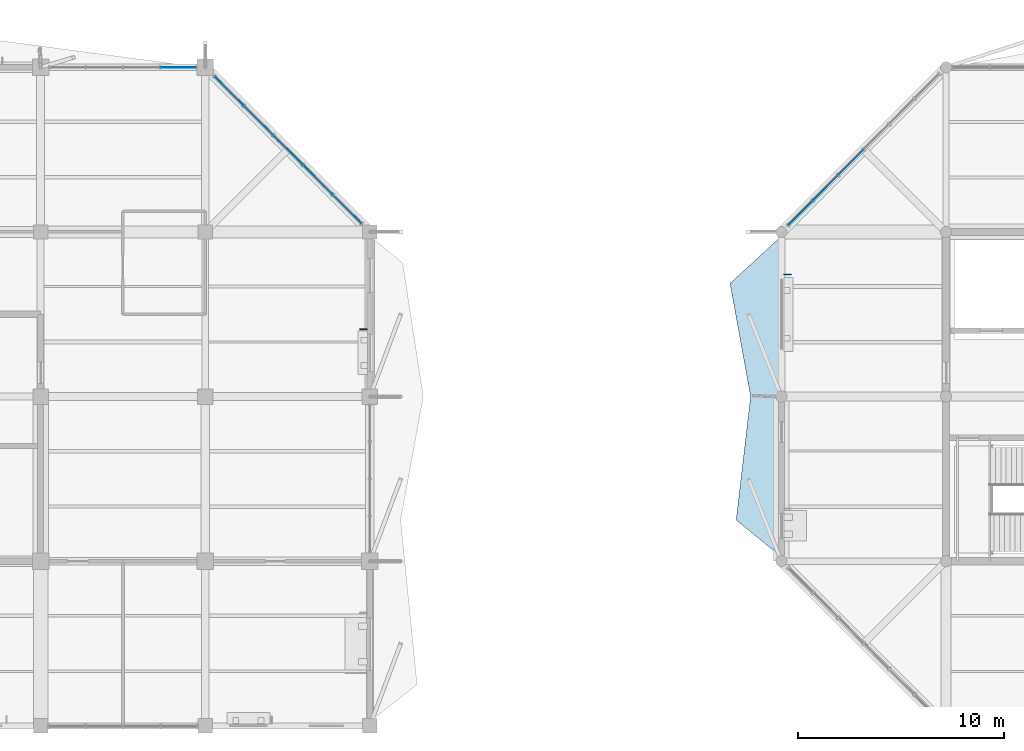
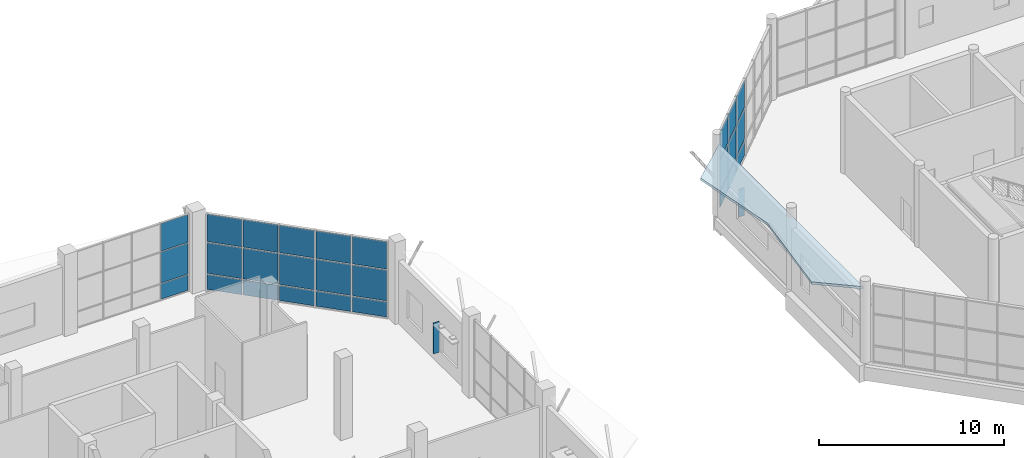
# One storey, part 89 of 122: 29 plates, 1 slab, 3 elements without a shape of their own.
"""IFC4 building model written with IfcOpenShell, lengths in metres."""

from ifc_helpers import new_model, si_unit, direction, frame, origin, origin_2d, place, context, subcontext, project, spatial, polyline, rectangle, outline, extrude, material, layer, layer_set, type_object, element, aggregate, save


model = new_model("IFC4")

# Units and contexts
model_context = context("Model", 3, precision=1e-05, world=origin(), true_north=direction((0.0, 1.0)))
body_context = subcontext(model_context, "Body", "Model", "MODEL_VIEW")
ifc_project = project(units=[si_unit("LENGTHUNIT", "METRE"), si_unit("AREAUNIT", "SQUARE_METRE"), si_unit("VOLUMEUNIT", "CUBIC_METRE"), si_unit("PLANEANGLEUNIT", "RADIAN"), si_unit("MASSUNIT", "GRAM", prefix="KILO")], contexts=[model_context])

# Site, building, storey
site_placement = place(None, origin())
site = spatial("IfcSite", under=ifc_project, at=site_placement, CompositionType="ELEMENT")
building_placement = place(site_placement, origin())
building = spatial("IfcBuilding", under=site, at=building_placement, Name="Tenunan Teduh Sports Hall", CompositionType="ELEMENT")
storey_placement = place(building_placement, frame((0.0, 0.0, 5.39990234375)))
storey = spatial("IfcBuildingStorey", under=building, at=storey_placement, Name="L01", CompositionType="ELEMENT", Elevation=5.39990234375)

# Curtain wall, plates
ifc_material_1 = material(Name="Anodised aluminium", Category="aluminium")
curtain_wall_type = type_object("IfcCurtainWallType", Name="CW-UNIT-1", PredefinedType="NOTDEFINED", material=ifc_material_1)
curtain_wall_1_placement = place(storey_placement, origin())
curtain_wall_1 = element("IfcCurtainWall", 1, at=curtain_wall_1_placement, inside=storey, type_object=curtain_wall_type, Name="CW-CWM-200-L01-204", PredefinedType="NOTDEFINED")
ifc_material_2 = material(Name="Low-E laminated double glazing", Category="glass")
ifc_layer_1 = layer(ifc_material_2, 0.028076171875)
ifc_layer_set_1 = layer_set([ifc_layer_1], Name="Low-E laminated double glazing")
plate_type_1 = type_object("IfcPlateType", Name="CWP-GLZ-28", PredefinedType="CURTAIN_PANEL", material=ifc_layer_set_1)
plate_1_placement = place(storey_placement, frame((76.89892578125, 111.10107421875, 1.13525390625), z_axis=(0.0, 0.0, 1.0), x_axis=(-0.707106781187, 0.707106781187, 0.0)))
plate_1 = element("IfcPlate", 2, at=plate_1_placement, type_object=plate_type_1, Name="CW-01 panel 1.2", PredefinedType="CURTAIN_PANEL", context=body_context, shape_type="SweptSolid", body=[
    extrude(rectangle(XDim=1.93505859375, YDim=0.028076171875, at=origin_2d()), origin(), (0.0, 0.0, 1.0), 2.030029296875),
])
plate_2_placement = place(storey_placement, frame((76.89892578125, 111.10107421875, 3.235107421875), z_axis=(0.0, 0.0, 1.0), x_axis=(-0.707106781187, 0.707106781187, 0.0)))
plate_2 = element("IfcPlate", 3, at=plate_2_placement, type_object=plate_type_1, Name="CW-01 panel 1.3", PredefinedType="CURTAIN_PANEL", context=body_context, shape_type="SweptSolid", body=[
    extrude(rectangle(XDim=1.93505859375, YDim=0.028076171875, at=origin_2d()), origin(), (0.0, 0.0, 1.0), 1.81494140625),
])
plate_3_placement = place(storey_placement, frame((75.46875, 112.53125, 1.13525390625), z_axis=(0.0, 0.0, 1.0), x_axis=(-0.707106781187, 0.707106781187, 0.0)))
plate_3 = element("IfcPlate", 4, at=plate_3_placement, type_object=plate_type_1, Name="CW-01 panel 2.2", PredefinedType="CURTAIN_PANEL", context=body_context, shape_type="SweptSolid", body=[
    extrude(rectangle(XDim=1.969970703125, YDim=0.028076171875, at=origin_2d()), origin(), (0.0, 0.0, 1.0), 2.030029296875),
])
plate_4_placement = place(storey_placement, frame((75.46875, 112.53125, 3.235107421875), z_axis=(0.0, 0.0, 1.0), x_axis=(-0.707106781187, 0.707106781187, 0.0)))
plate_4 = element("IfcPlate", 5, at=plate_4_placement, type_object=plate_type_1, Name="CW-01 panel 2.3", PredefinedType="CURTAIN_PANEL", context=body_context, shape_type="SweptSolid", body=[
    extrude(rectangle(XDim=1.969970703125, YDim=0.028076171875, at=origin_2d()), origin(), (0.0, 0.0, 1.0), 1.81494140625),
])
plate_5_placement = place(storey_placement, frame((74.0263671875, 113.9736328125, 1.13525390625), z_axis=(0.0, 0.0, 1.0), x_axis=(-0.707106781187, 0.707106781187, 0.0)))
plate_5 = element("IfcPlate", 6, at=plate_5_placement, type_object=plate_type_1, Name="CW-01 panel 3.2", PredefinedType="CURTAIN_PANEL", context=body_context, shape_type="SweptSolid", body=[
    extrude(rectangle(XDim=1.969970703125, YDim=0.028076171875, at=origin_2d()), origin(), (0.0, 0.0, 1.0), 2.030029296875),
])
plate_6_placement = place(storey_placement, frame((74.0263671875, 113.9736328125, 3.235107421875), z_axis=(0.0, 0.0, 1.0), x_axis=(-0.707106781187, 0.707106781187, 0.0)))
plate_6 = element("IfcPlate", 7, at=plate_6_placement, type_object=plate_type_1, Name="CW-01 panel 3.3", PredefinedType="CURTAIN_PANEL", context=body_context, shape_type="SweptSolid", body=[
    extrude(rectangle(XDim=1.969970703125, YDim=0.028076171875, at=origin_2d()), origin(), (0.0, 0.0, 1.0), 1.81494140625),
])
plate_7_placement = place(storey_placement, frame((72.583740234375, 115.416259765625, 1.13525390625), z_axis=(0.0, 0.0, 1.0), x_axis=(-0.707106781187, 0.707106781187, 0.0)))
plate_7 = element("IfcPlate", 8, at=plate_7_placement, type_object=plate_type_1, Name="CW-01 panel 4.2", PredefinedType="CURTAIN_PANEL", context=body_context, shape_type="SweptSolid", body=[
    extrude(rectangle(XDim=1.969970703125, YDim=0.028076171875, at=origin_2d()), origin(), (0.0, 0.0, 1.0), 2.030029296875),
])
plate_8_placement = place(storey_placement, frame((72.583740234375, 115.416259765625, 3.235107421875), z_axis=(0.0, 0.0, 1.0), x_axis=(-0.707106781187, 0.707106781187, 0.0)))
plate_8 = element("IfcPlate", 9, at=plate_8_placement, type_object=plate_type_1, Name="CW-01 panel 4.3", PredefinedType="CURTAIN_PANEL", context=body_context, shape_type="SweptSolid", body=[
    extrude(rectangle(XDim=1.969970703125, YDim=0.028076171875, at=origin_2d()), origin(), (0.0, 0.0, 1.0), 1.81494140625),
])
plate_9_placement = place(storey_placement, frame((71.153564453125, 116.846435546875, 1.13525390625), z_axis=(0.0, 0.0, 1.0), x_axis=(-0.707106781187, 0.707106781187, 0.0)))
plate_9 = element("IfcPlate", 10, at=plate_9_placement, type_object=plate_type_1, Name="CW-01 panel 5.2", PredefinedType="CURTAIN_PANEL", context=body_context, shape_type="SweptSolid", body=[
    extrude(rectangle(XDim=1.93505859375, YDim=0.028076171875, at=origin_2d()), origin(), (0.0, 0.0, 1.0), 2.030029296875),
])
plate_10_placement = place(storey_placement, frame((71.153564453125, 116.846435546875, 3.235107421875), z_axis=(0.0, 0.0, 1.0), x_axis=(-0.707106781187, 0.707106781187, 0.0)))
plate_10 = element("IfcPlate", 11, at=plate_10_placement, type_object=plate_type_1, Name="CW-01 panel 5.3", PredefinedType="CURTAIN_PANEL", context=body_context, shape_type="SweptSolid", body=[
    extrude(rectangle(XDim=1.93505859375, YDim=0.028076171875, at=origin_2d()), origin(), (0.0, 0.0, 1.0), 1.81494140625),
])

curtain_wall_2_placement = place(storey_placement, origin())
curtain_wall_2 = element("IfcCurtainWall", 12, at=curtain_wall_2_placement, inside=storey, type_object=curtain_wall_type, Name="CW-CWM-200-L01-252", PredefinedType="NOTDEFINED")
plate_11_placement = place(storey_placement, frame((98.919677734375, 110.919677734375, 1.13525390625), z_axis=(0.0, 0.0, 1.0), x_axis=(0.707106781187, 0.707106781187, 0.0)))
plate_11 = element("IfcPlate", 13, at=plate_11_placement, type_object=plate_type_1, Name="CW-01 panel 1.2", PredefinedType="CURTAIN_PANEL", context=body_context, shape_type="SweptSolid", body=[
    extrude(rectangle(XDim=1.64453125, YDim=0.028076171875, at=origin_2d()), origin(), (0.0, 0.0, 1.0), 2.030029296875),
])
plate_12_placement = place(storey_placement, frame((98.919677734375, 110.919677734375, 3.235107421875), z_axis=(0.0, 0.0, 1.0), x_axis=(0.707106781187, 0.707106781187, 0.0)))
plate_12 = element("IfcPlate", 14, at=plate_12_placement, type_object=plate_type_1, Name="CW-01 panel 1.3", PredefinedType="CURTAIN_PANEL", context=body_context, shape_type="SweptSolid", body=[
    extrude(rectangle(XDim=1.64453125, YDim=0.028076171875, at=origin_2d()), origin(), (0.0, 0.0, 1.0), 1.81494140625),
])
plate_13_placement = place(storey_placement, frame((100.144287109375, 112.144287109375, 1.13525390625), z_axis=(0.0, 0.0, 1.0), x_axis=(0.707106781187, 0.707106781187, 0.0)))
plate_13 = element("IfcPlate", 15, at=plate_13_placement, type_object=plate_type_1, Name="CW-01 panel 2.2", PredefinedType="CURTAIN_PANEL", context=body_context, shape_type="SweptSolid", body=[
    extrude(rectangle(XDim=1.679443359375, YDim=0.028076171875, at=origin_2d()), origin(), (0.0, 0.0, 1.0), 2.030029296875),
])
plate_14_placement = place(storey_placement, frame((100.144287109375, 112.144287109375, 3.235107421875), z_axis=(0.0, 0.0, 1.0), x_axis=(0.707106781187, 0.707106781187, 0.0)))
plate_14 = element("IfcPlate", 16, at=plate_14_placement, type_object=plate_type_1, Name="CW-01 panel 2.3", PredefinedType="CURTAIN_PANEL", context=body_context, shape_type="SweptSolid", body=[
    extrude(rectangle(XDim=1.679443359375, YDim=0.028076171875, at=origin_2d()), origin(), (0.0, 0.0, 1.0), 1.81494140625),
])
plate_15_placement = place(storey_placement, frame((101.38134765625, 113.38134765625, 1.13525390625), z_axis=(0.0, 0.0, 1.0), x_axis=(0.707106781187, 0.707106781187, 0.0)))
plate_15 = element("IfcPlate", 17, at=plate_15_placement, type_object=plate_type_1, Name="CW-01 panel 3.2", PredefinedType="CURTAIN_PANEL", context=body_context, shape_type="SweptSolid", body=[
    extrude(rectangle(XDim=1.679443359375, YDim=0.028076171875, at=origin_2d()), origin(), (0.0, 0.0, 1.0), 2.030029296875),
])
plate_16_placement = place(storey_placement, frame((101.38134765625, 113.38134765625, 3.235107421875), z_axis=(0.0, 0.0, 1.0), x_axis=(0.707106781187, 0.707106781187, 0.0)))
plate_16 = element("IfcPlate", 18, at=plate_16_placement, type_object=plate_type_1, Name="CW-01 panel 3.3", PredefinedType="CURTAIN_PANEL", context=body_context, shape_type="SweptSolid", body=[
    extrude(rectangle(XDim=1.679443359375, YDim=0.028076171875, at=origin_2d()), origin(), (0.0, 0.0, 1.0), 1.81494140625),
])

curtain_wall_3_placement = place(storey_placement, origin())
curtain_wall_3 = element("IfcCurtainWall", 19, at=curtain_wall_3_placement, inside=storey, type_object=curtain_wall_type, Name="CW-CWM-150-L01-207", PredefinedType="NOTDEFINED")
ifc_material_3 = material(Name="Solar-control laminated glazing", Category="glass")
ifc_layer_2 = layer(ifc_material_3, 0.031982421875)
ifc_layer_set_2 = layer_set([ifc_layer_2], Name="Solar-control laminated glazing")
plate_type_2 = type_object("IfcPlateType", Name="CWP-GLZ-32", PredefinedType="CURTAIN_PANEL", material=ifc_layer_set_2)
plate_17_placement = place(storey_placement, frame((68.68505859375, 118.0, 1.130126953125), z_axis=(0.0, 0.0, 1.0), x_axis=(1.0, 0.0, 0.0)))
plate_17 = element("IfcPlate", 20, at=plate_17_placement, type_object=plate_type_2, Name="CW-01 panel 4.2", PredefinedType="CURTAIN_PANEL", context=body_context, shape_type="SweptSolid", body=[
    extrude(rectangle(XDim=1.7099609375, YDim=0.031982421875, at=origin_2d()), origin(), (0.0, 0.0, 1.0), 2.0400390625),
])
plate_18_placement = place(storey_placement, frame((68.68505859375, 118.0, 3.22998046875), z_axis=(0.0, 0.0, 1.0), x_axis=(1.0, 0.0, 0.0)))
plate_18 = element("IfcPlate", 21, at=plate_18_placement, type_object=plate_type_2, Name="CW-01 panel 4.3", PredefinedType="CURTAIN_PANEL", context=body_context, shape_type="SweptSolid", body=[
    extrude(rectangle(XDim=1.7099609375, YDim=0.031982421875, at=origin_2d()), origin(), (0.0, 0.0, 1.0), 1.830078125),
])

# Plate
ifc_material_4 = material(Name="Insulated aluminium spandrel panel", Category="aluminium")
ifc_layer_3 = layer(ifc_material_4, 0.044921875)
ifc_layer_set_3 = layer_set([ifc_layer_3], Name="Insulated aluminium spandrel panel")
plate_type_3 = type_object("IfcPlateType", Name="CWP-SPN-45", PredefinedType="CURTAIN_PANEL", material=ifc_layer_set_3)
plate_19_placement = place(storey_placement, frame((76.89892578125, 111.10107421875, 0.070068359375), z_axis=(0.0, 0.0, 1.0), x_axis=(-0.707106781187, 0.707106781187, 0.0)))
plate_19 = element("IfcPlate", 22, at=plate_19_placement, type_object=plate_type_3, Name="CW-01 panel 1.1", PredefinedType="CURTAIN_PANEL", context=body_context, shape_type="SweptSolid", body=[
    extrude(rectangle(XDim=1.93505859375, YDim=0.028076171875, at=origin_2d()), origin(), (0.0, 0.0, 1.0), 0.9951171875),
])

plate_20_placement = place(storey_placement, frame((75.46875, 112.53125, 0.070068359375), z_axis=(0.0, 0.0, 1.0), x_axis=(-0.707106781187, 0.707106781187, 0.0)))
plate_20 = element("IfcPlate", 23, at=plate_20_placement, type_object=plate_type_3, Name="CW-01 panel 2.1", PredefinedType="CURTAIN_PANEL", context=body_context, shape_type="SweptSolid", body=[
    extrude(rectangle(XDim=1.969970703125, YDim=0.028076171875, at=origin_2d()), origin(), (0.0, 0.0, 1.0), 0.9951171875),
])

plate_21_placement = place(storey_placement, frame((74.0263671875, 113.9736328125, 0.070068359375), z_axis=(0.0, 0.0, 1.0), x_axis=(-0.707106781187, 0.707106781187, 0.0)))
plate_21 = element("IfcPlate", 24, at=plate_21_placement, type_object=plate_type_3, Name="CW-01 panel 3.1", PredefinedType="CURTAIN_PANEL", context=body_context, shape_type="SweptSolid", body=[
    extrude(rectangle(XDim=1.969970703125, YDim=0.028076171875, at=origin_2d()), origin(), (0.0, 0.0, 1.0), 0.9951171875),
])

plate_22_placement = place(storey_placement, frame((72.583740234375, 115.416259765625, 0.070068359375), z_axis=(0.0, 0.0, 1.0), x_axis=(-0.707106781187, 0.707106781187, 0.0)))
plate_22 = element("IfcPlate", 25, at=plate_22_placement, type_object=plate_type_3, Name="CW-01 panel 4.1", PredefinedType="CURTAIN_PANEL", context=body_context, shape_type="SweptSolid", body=[
    extrude(rectangle(XDim=1.969970703125, YDim=0.028076171875, at=origin_2d()), origin(), (0.0, 0.0, 1.0), 0.9951171875),
])

plate_23_placement = place(storey_placement, frame((71.153564453125, 116.846435546875, 0.070068359375), z_axis=(0.0, 0.0, 1.0), x_axis=(-0.707106781187, 0.707106781187, 0.0)))
plate_23 = element("IfcPlate", 26, at=plate_23_placement, type_object=plate_type_3, Name="CW-01 panel 5.1", PredefinedType="CURTAIN_PANEL", context=body_context, shape_type="SweptSolid", body=[
    extrude(rectangle(XDim=1.93505859375, YDim=0.028076171875, at=origin_2d()), origin(), (0.0, 0.0, 1.0), 0.9951171875),
])

aggregate(curtain_wall_1, [plate_19, plate_1, plate_2, plate_20, plate_3, plate_4, plate_21, plate_5, plate_6, plate_22, plate_7, plate_8, plate_23, plate_9, plate_10])

plate_24_placement = place(storey_placement, frame((68.68505859375, 118.0, 0.06005859375), z_axis=(0.0, 0.0, 1.0), x_axis=(1.0, 0.0, 0.0)))
plate_24 = element("IfcPlate", 27, at=plate_24_placement, type_object=plate_type_3, Name="CW-01 panel 4.1", PredefinedType="CURTAIN_PANEL", context=body_context, shape_type="SweptSolid", body=[
    extrude(rectangle(XDim=1.7099609375, YDim=0.031982421875, at=origin_2d()), origin(), (0.0, 0.0, 1.0), 1.010009765625),
])

aggregate(curtain_wall_3, [plate_24, plate_17, plate_18])

plate_25_placement = place(storey_placement, frame((98.919677734375, 110.919677734375, 0.070068359375), z_axis=(0.0, 0.0, 1.0), x_axis=(0.707106781187, 0.707106781187, 0.0)))
plate_25 = element("IfcPlate", 28, at=plate_25_placement, type_object=plate_type_3, Name="CW-01 panel 1.1", PredefinedType="CURTAIN_PANEL", context=body_context, shape_type="SweptSolid", body=[
    extrude(rectangle(XDim=1.64453125, YDim=0.028076171875, at=origin_2d()), origin(), (0.0, 0.0, 1.0), 0.9951171875),
])

plate_26_placement = place(storey_placement, frame((100.144287109375, 112.144287109375, 0.070068359375), z_axis=(0.0, 0.0, 1.0), x_axis=(0.707106781187, 0.707106781187, 0.0)))
plate_26 = element("IfcPlate", 29, at=plate_26_placement, type_object=plate_type_3, Name="CW-01 panel 2.1", PredefinedType="CURTAIN_PANEL", context=body_context, shape_type="SweptSolid", body=[
    extrude(rectangle(XDim=1.679443359375, YDim=0.028076171875, at=origin_2d()), origin(), (0.0, 0.0, 1.0), 0.9951171875),
])

plate_27_placement = place(storey_placement, frame((101.38134765625, 113.38134765625, 0.070068359375), z_axis=(0.0, 0.0, 1.0), x_axis=(0.707106781187, 0.707106781187, 0.0)))
plate_27 = element("IfcPlate", 30, at=plate_27_placement, type_object=plate_type_3, Name="CW-01 panel 3.1", PredefinedType="CURTAIN_PANEL", context=body_context, shape_type="SweptSolid", body=[
    extrude(rectangle(XDim=1.679443359375, YDim=0.028076171875, at=origin_2d()), origin(), (0.0, 0.0, 1.0), 0.9951171875),
])

aggregate(curtain_wall_2, [plate_25, plate_11, plate_12, plate_26, plate_13, plate_14, plate_27, plate_15, plate_16])

# Plates
ifc_material_5 = material(Name="Anodised aluminium", Category="aluminium")
ifc_layer_4 = layer(ifc_material_5, 1.89990234375)
ifc_layer_set_4 = layer_set([ifc_layer_4], Name="Anodised aluminium")
plate_type_4 = type_object("IfcPlateType", Name="PLT-FIN-1", PredefinedType="SHEET", material=ifc_layer_set_4)
plate_28_placement = place(storey_placement, frame((77.695068359375, 105.264892578125, 0.780029296875), z_axis=(0.0, 0.0, 1.0), x_axis=(0.0, 1.0, 0.0)))
element("IfcPlate", 31, at=plate_28_placement, inside=storey, type_object=plate_type_4, Name="PLT-FIN-L01-030", PredefinedType="SHEET", context=body_context, shape_type="SweptSolid", body=[
    extrude(rectangle(XDim=0.0400390625, YDim=0.360107421875, at=origin_2d()), origin(), (0.0, 0.0, 1.0), 2.0400390625),
])
plate_29_placement = place(storey_placement, frame((98.300048828125, 107.93505859375, 0.97998046875), z_axis=(0.0, 0.0, 1.0), x_axis=(0.0, 1.0, 0.0)))
element("IfcPlate", 32, at=plate_29_placement, inside=storey, type_object=plate_type_4, Name="PLT-FIN-L01-090", PredefinedType="SHEET", context=body_context, shape_type="SweptSolid", body=[
    extrude(rectangle(XDim=0.0400390625, YDim=0.360107421875, at=origin_2d()), origin(), (0.0, 0.0, 1.0), 1.840087890625),
])

# Slab
ifc_material_6 = material(Name="Concrete C40/50", Category="concrete")
ifc_layer_5 = layer(ifc_material_6, 0.159912109375)
ifc_layer_set_5 = layer_set([ifc_layer_5], Name="Concrete C40/50")
slab_type = type_object("IfcSlabType", Name="SLB-ROOF-160", PredefinedType="ROOF", material=ifc_layer_set_5)
slab_placement = place(storey_placement, frame((0.0, 0.0, 4.590087890625)))
element("IfcSlab", 33, at=slab_placement, inside=storey, type_object=slab_type, Name="Window Head Sun-Shade Hood SHD-RIB-V5E-W-L01", PredefinedType="ROOF", context=body_context, shape_type="SweptSolid", body=[
    extrude(outline(polyline([(98.0, 94.199951171875), (95.800048828125, 96.0), (96.5, 102.0), (95.5, 107.5), (98.0, 109.800048828125), (98.0, 94.199951171875)])), origin(), (0.0, 0.0, 1.0), 0.159912109375),
])

save(model, "model.ifc")
